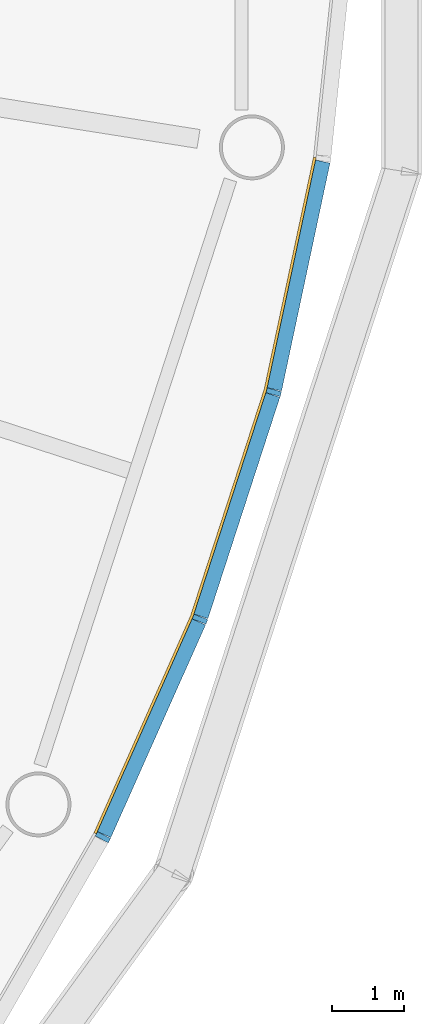
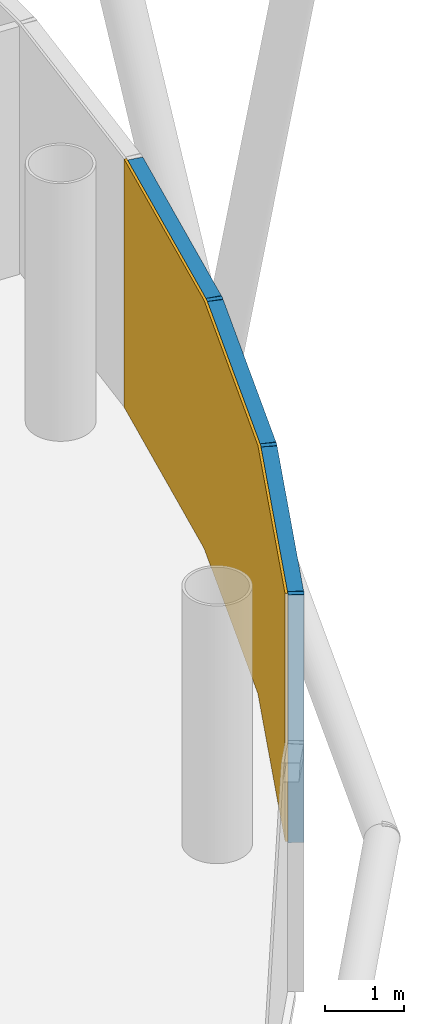
# One storey, part 9 of 13: 6 members, 1 curtain wall.
"""IFC4 building model written with IfcOpenShell, lengths in metres."""

from ifc_helpers import new_model, si_unit, direction, frame, origin, origin_2d, place, context, subcontext, project, spatial, polyline, rectangle, outline, extrude, material, layer, layer_set, material_profile, profile_set, type_object, element, aggregate, save


model = new_model("IFC4")

# Units and contexts
model_context = context("Model", 3, precision=1e-05, world=origin(), true_north=direction((0.0, 1.0)))
body_context = subcontext(model_context, "Body", "Model", "MODEL_VIEW")
ifc_project = project(units=[si_unit("LENGTHUNIT", "METRE"), si_unit("AREAUNIT", "SQUARE_METRE"), si_unit("VOLUMEUNIT", "CUBIC_METRE"), si_unit("PLANEANGLEUNIT", "RADIAN"), si_unit("MASSUNIT", "GRAM", prefix="KILO")], contexts=[model_context])

# Member
ifc_material_1 = material(Name="Anodised aluminium", Category="aluminium")
ifc_material_profile_1 = material_profile(ifc_material_1, rectangle(XDim=0.070068359375, YDim=0.205078125, at=origin_2d()), Name="Mullion 70 x 205 mm anodised aluminium")
ifc_profile_set_1 = profile_set([ifc_material_profile_1], Name="Anodised aluminium")
member_type_1 = type_object("IfcMemberType", Name="Mullion 70 x 205 mm anodised aluminium", PredefinedType="MULLION", material=ifc_profile_set_1)
site_placement = place(None, origin())
building_placement = place(site_placement, origin())
storey_placement = place(building_placement, frame((0.0, 0.0, 336.0)))
member_1_placement = place(storey_placement, frame((118.157958984375, 65.65283203125, 0.0), z_axis=(0.0, 0.0, 1.0), x_axis=(0.45399049974, 0.891006524188, 0.0)))
member_1 = element("IfcMember", 1, at=member_1_placement, type_object=member_type_1, Name="MULLION L77-54", PredefinedType="MULLION", context=body_context, shape_type="SweptSolid", body=[
    extrude(rectangle(XDim=0.070068359375, YDim=0.205078125, at=origin_2d()), origin(), (0.0, 0.0, 1.0), 3.85009765625),
])

member_2_placement = place(storey_placement, frame((119.50341796875, 68.674560546875, 0.0), z_axis=(0.0, 0.0, 1.0), x_axis=(0.358367949545, 0.933580426497, 0.0)))
member_2 = element("IfcMember", 2, at=member_2_placement, type_object=member_type_1, Name="MULLION L77-55", PredefinedType="MULLION", context=body_context, shape_type="SweptSolid", body=[
    extrude(rectangle(XDim=0.070068359375, YDim=0.205078125, at=origin_2d()), origin(), (0.0, 0.0, 1.0), 3.85009765625),
])

member_3_placement = place(storey_placement, frame((120.525634765625, 71.820556640625, 0.0), z_axis=(0.0, 0.0, 1.0), x_axis=(0.258819045103, 0.965925826289, 0.0)))
member_3 = element("IfcMember", 3, at=member_3_placement, type_object=member_type_1, Name="MULLION L77-56", PredefinedType="MULLION", context=body_context, shape_type="SweptSolid", body=[
    extrude(rectangle(XDim=0.070068359375, YDim=0.205078125, at=origin_2d()), origin(), (0.0, 0.0, 1.0), 3.85009765625),
])

ifc_material_2 = material(Name="Anodised aluminium", Category="aluminium")
ifc_material_profile_2 = material_profile(ifc_material_2, rectangle(XDim=0.205078125, YDim=0.195068359375, at=origin_2d()), Name="Transom 195 x 205 mm anodised aluminium")
ifc_profile_set_2 = profile_set([ifc_material_profile_2], Name="Anodised aluminium")
member_type_2 = type_object("IfcMemberType", Name="Transom 195 x 205 mm anodised aluminium", PredefinedType="USERDEFINED", material=ifc_profile_set_2)
member_4_placement = place(storey_placement, frame((118.174560546875, 65.689697265625, 3.75244140625), z_axis=(0.406791170024, 0.913521178731, 0.0), x_axis=(-0.913521178731, 0.406791170024, 0.0)))
member_4 = element("IfcMember", 4, at=member_4_placement, type_object=member_type_2, Name="TRANSOM L77-54", ObjectType="TRANSOM", PredefinedType="USERDEFINED", context=body_context, shape_type="SweptSolid", body=[
    extrude(rectangle(XDim=0.205078125, YDim=0.195068359375, at=origin_2d()), origin(), (0.0, 0.0, 1.0), 3.22705078125),
])

member_5_placement = place(storey_placement, frame((119.51611328125, 68.713134765625, 3.75244140625), z_axis=(0.309046726844, 0.951046855117, 0.0), x_axis=(-0.951046855117, 0.309046726844, 0.0)))
member_5 = element("IfcMember", 5, at=member_5_placement, type_object=member_type_2, Name="TRANSOM L77-55", ObjectType="TRANSOM", PredefinedType="USERDEFINED", context=body_context, shape_type="SweptSolid", body=[
    extrude(rectangle(XDim=0.205078125, YDim=0.195068359375, at=origin_2d()), origin(), (0.0, 0.0, 1.0), 3.22705078125),
])

member_6_placement = place(storey_placement, frame((120.5341796875, 71.860107421875, 3.75244140625), z_axis=(0.207885898771, 0.978153082647, 0.0), x_axis=(-0.978153082647, 0.207885898771, 0.0)))
member_6 = element("IfcMember", 6, at=member_6_placement, type_object=member_type_2, Name="TRANSOM L77-56", ObjectType="TRANSOM", PredefinedType="USERDEFINED", context=body_context, shape_type="SweptSolid", body=[
    extrude(rectangle(XDim=0.205078125, YDim=0.195068359375, at=origin_2d()), origin(), (0.0, 0.0, 1.0), 3.227294921875),
])

# Site, building, storey
site = spatial("IfcSite", under=ifc_project, at=site_placement, CompositionType="ELEMENT")
building = spatial("IfcBuilding", under=site, at=building_placement, Name="Entoto Ring Tower", CompositionType="ELEMENT")
storey = spatial("IfcBuildingStorey", under=building, at=storey_placement, Name="L77", CompositionType="ELEMENT", Elevation=336.0)

# Curtain wall
ifc_material_3 = material(Name="Clear low-iron glass", Category="glass")
ifc_layer = layer(ifc_material_3, 0.035888671875)
ifc_layer_set = layer_set([ifc_layer], Name="Clear low-iron glass")
curtain_wall_type = type_object("IfcCurtainWallType", Name="Curtain wall system CW6 glazing 36 mm", PredefinedType="NOTDEFINED", material=ifc_layer_set)
curtain_wall_placement = place(storey_placement, origin())
curtain_wall = element("IfcCurtainWall", 7, at=curtain_wall_placement, inside=storey, type_object=curtain_wall_type, Name="CW6 L77-19", PredefinedType="NOTDEFINED", context=body_context, shape_type="SweptSolid", body=[
    extrude(outline(polyline([(118.066650390625, 65.69921875), (119.40771484375, 68.71142578125), (120.4267578125, 71.84716796875), (121.1123046875, 75.072265625), (121.07666015625, 75.077880859375), (120.391845703125, 71.8564453125), (119.3740234375, 68.724365234375), (118.03466796875, 65.715576171875), (118.066650390625, 65.69921875)])), origin(), (0.0, 0.0, 1.0), 3.85009765625),
])

aggregate(curtain_wall, [member_1, member_2, member_3, member_4, member_5, member_6])

save(model, "model.ifc")
